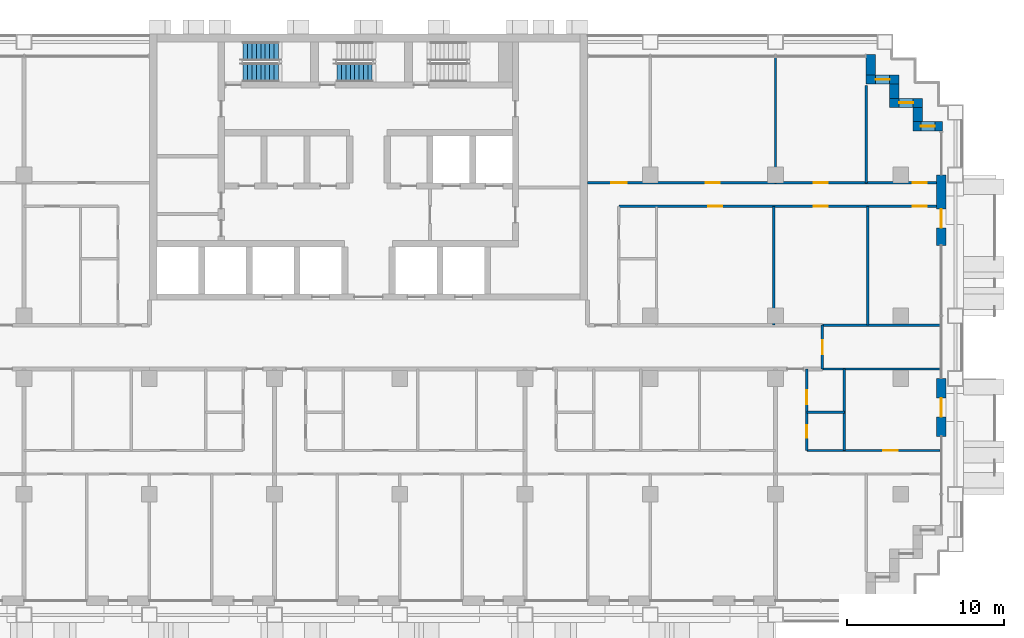
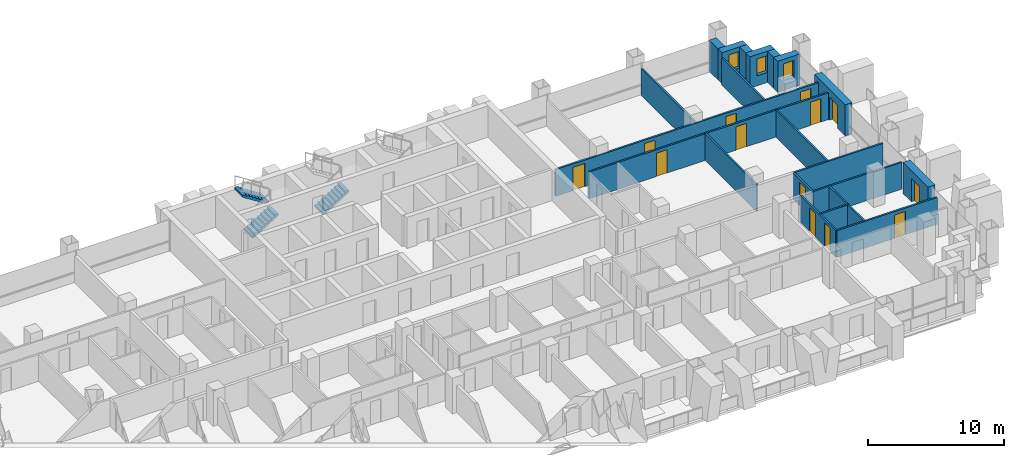
# One storey, part 14 of 19: 21 walls, 13 doors, 3 stair flights, 3 windows, 16 openings, 2 elements without a shape of their own.
"""IFC4 building model written with IfcOpenShell, lengths in metres."""

from ifc_helpers import new_model, si_unit, direction, frame, frame_2d, origin, place, context, subcontext, project, spatial, polyline, rectangle, outline, extrude, material, layer, layer_set, type_object, element, fill, aggregate, save


model = new_model("IFC4")

# Units and contexts
model_context = context("Model", 3, precision=1e-05, world=origin(), true_north=direction((0.0, 1.0)))
body_context = subcontext(model_context, "Body", "Model", "MODEL_VIEW")
ifc_project = project(units=[si_unit("LENGTHUNIT", "METRE"), si_unit("AREAUNIT", "SQUARE_METRE"), si_unit("VOLUMEUNIT", "CUBIC_METRE"), si_unit("PLANEANGLEUNIT", "RADIAN"), si_unit("MASSUNIT", "GRAM", prefix="KILO")], contexts=[model_context])

# Site, building, storey
site_placement = place(None, origin())
site = spatial("IfcSite", under=ifc_project, at=site_placement, CompositionType="ELEMENT")
building_placement = place(site_placement, origin())
building = spatial("IfcBuilding", under=site, at=building_placement, Name="Vidyagriha Tower", CompositionType="ELEMENT")
storey_placement = place(building_placement, frame((0.0, 0.0, 60.800048828125)))
storey = spatial("IfcBuildingStorey", under=building, at=storey_placement, Name="L16", CompositionType="ELEMENT", Elevation=60.800048828125)

# Wall, opening, window
ifc_material_1 = material(Name="Precast concrete C40/50 with brick facing", Category="concrete")
ifc_layer_1 = layer(ifc_material_1, 0.60009765625)
ifc_layer_set_1 = layer_set([ifc_layer_1], Name="Precast concrete C40/50 with brick facing")
wall_type_1 = type_object("IfcWallType", Name="Brick-faced precast wall 600", PredefinedType="STANDARD", material=ifc_layer_set_1)
wall_1_placement = place(storey_placement, frame((36.679931640625, 14.10009765625, 0.0), z_axis=(0.0, 0.0, 1.0), x_axis=(-1.0, 0.0, 0.0)))
wall_1 = element("IfcWall", 1, at=wall_1_placement, inside=storey, type_object=wall_type_1, Name="Stepped corner wall L16 R01", PredefinedType="STANDARD", context=body_context, shape_type="SweptSolid", body=[
    extrude(rectangle(XDim=1.8798828125, YDim=0.60009765625, at=frame_2d((0.93994140625, 0.0))), origin(), (0.0, 0.0, 1.0), 2.800048828125),
])
opening_1_placement = place(wall_1_placement, frame((0.489990234375, 0.0, 0.89990234375)))
opening_1 = element("IfcOpeningElement", 2, at=opening_1_placement, cuts=wall_1, Name="Opening WN1", PredefinedType="OPENING", context=body_context, shape_type="SweptSolid", body=[
    extrude(rectangle(XDim=0.89990234375, YDim=1.5, at=frame_2d((0.449951171875, 0.75))), frame((0.0, 0.31005859375, 0.0), z_axis=(0.0, -1.0, 0.0), x_axis=(1.0, 0.0, 0.0)), (0.0, 0.0, 1.0), 0.6201171875),
])
ifc_material_2 = material(Name="Aluminium and glass window", Category="aluminium")
window_type = type_object("IfcWindowType", Name="Reveal window 900x1500", PartitioningType="NOTDEFINED", PredefinedType="WINDOW", material=ifc_material_2)
window_1_placement = place(opening_1_placement, origin())
window_1 = element("IfcWindow", 3, at=window_1_placement, inside=storey, type_object=window_type, Name="Reveal window L16 R01", OverallHeight=1.5, OverallWidth=0.89990234375, PartitioningType="SINGLE_PANEL", PredefinedType="WINDOW", context=body_context, shape_type="SweptSolid", body=[
    extrude(rectangle(XDim=0.89990234375, YDim=1.5, at=frame_2d((0.449951171875, 0.75))), frame((0.0, 0.030029296875, 0.0), z_axis=(0.0, -1.0, 0.0), x_axis=(1.0, 0.0, 0.0)), (0.0, 0.0, 1.0), 0.06005859375),
])
fill(opening_1, window_1)

# Wall
wall_2_placement = place(storey_placement, frame((35.10009765625, 14.39990234375, 0.0), z_axis=(0.0, 0.0, 1.0), x_axis=(0.0, 1.0, 0.0)))
element("IfcWall", 4, at=wall_2_placement, inside=storey, type_object=wall_type_1, Name="Stepped corner wall L16 R02", PredefinedType="STANDARD", context=body_context, shape_type="SweptSolid", body=[
    extrude(rectangle(XDim=0.900146484375, YDim=0.60009765625, at=frame_2d((0.4501953125, 0.0))), origin(), (0.0, 0.0, 1.0), 2.800048828125),
])

# Wall, opening, window
wall_3_placement = place(storey_placement, frame((35.39990234375, 15.60009765625, 0.0), z_axis=(0.0, 0.0, 1.0), x_axis=(-1.0, 0.0, 0.0)))
wall_3 = element("IfcWall", 5, at=wall_3_placement, inside=storey, type_object=wall_type_1, Name="Stepped corner wall L16 R03", PredefinedType="STANDARD", context=body_context, shape_type="SweptSolid", body=[
    extrude(rectangle(XDim=2.099853515625, YDim=0.60009765625, at=frame_2d((1.0498046875, 0.0))), origin(), (0.0, 0.0, 1.0), 2.800048828125),
])
opening_2_placement = place(wall_3_placement, frame((0.60009765625, 0.0, 0.89990234375)))
opening_2 = element("IfcOpeningElement", 6, at=opening_2_placement, cuts=wall_3, Name="Opening WN1", PredefinedType="OPENING", context=body_context, shape_type="SweptSolid", body=[
    extrude(rectangle(XDim=0.89990234375, YDim=1.5, at=frame_2d((0.449951171875, 0.75))), frame((0.0, 0.31005859375, 0.0), z_axis=(0.0, -1.0, 0.0), x_axis=(1.0, 0.0, 0.0)), (0.0, 0.0, 1.0), 0.6201171875),
])
window_2_placement = place(opening_2_placement, origin())
window_2 = element("IfcWindow", 7, at=window_2_placement, inside=storey, type_object=window_type, Name="Reveal window L16 R03", OverallHeight=1.5, OverallWidth=0.89990234375, PartitioningType="SINGLE_PANEL", PredefinedType="WINDOW", context=body_context, shape_type="SweptSolid", body=[
    extrude(rectangle(XDim=0.89990234375, YDim=1.5, at=frame_2d((0.449951171875, 0.75))), frame((0.0, 0.030029296875, 0.0), z_axis=(0.0, -1.0, 0.0), x_axis=(1.0, 0.0, 0.0)), (0.0, 0.0, 1.0), 0.06005859375),
])
fill(opening_2, window_2)

# Wall
wall_4_placement = place(storey_placement, frame((33.60009765625, 15.89990234375, 0.0), z_axis=(0.0, 0.0, 1.0), x_axis=(0.0, 1.0, 0.0)))
element("IfcWall", 8, at=wall_4_placement, inside=storey, type_object=wall_type_1, Name="Stepped corner wall L16 R04", PredefinedType="STANDARD", context=body_context, shape_type="SweptSolid", body=[
    extrude(rectangle(XDim=0.900146484375, YDim=0.60009765625, at=frame_2d((0.4501953125, 0.0))), origin(), (0.0, 0.0, 1.0), 2.800048828125),
])

# Wall, opening, window
wall_5_placement = place(storey_placement, frame((33.89990234375, 17.10009765625, 0.0), z_axis=(0.0, 0.0, 1.0), x_axis=(-1.0, 0.0, 0.0)))
wall_5 = element("IfcWall", 9, at=wall_5_placement, inside=storey, type_object=wall_type_1, Name="Stepped corner wall L16 R05", PredefinedType="STANDARD", context=body_context, shape_type="SweptSolid", body=[
    extrude(rectangle(XDim=2.099853515625, YDim=0.60009765625, at=frame_2d((1.0498046875, 0.0))), origin(), (0.0, 0.0, 1.0), 2.800048828125),
])
opening_3_placement = place(wall_5_placement, frame((0.60009765625, 0.0, 0.89990234375)))
opening_3 = element("IfcOpeningElement", 10, at=opening_3_placement, cuts=wall_5, Name="Opening WN1", PredefinedType="OPENING", context=body_context, shape_type="SweptSolid", body=[
    extrude(rectangle(XDim=0.89990234375, YDim=1.5, at=frame_2d((0.449951171875, 0.75))), frame((0.0, 0.31005859375, 0.0), z_axis=(0.0, -1.0, 0.0), x_axis=(1.0, 0.0, 0.0)), (0.0, 0.0, 1.0), 0.6201171875),
])
window_3_placement = place(opening_3_placement, origin())
window_3 = element("IfcWindow", 11, at=window_3_placement, inside=storey, type_object=window_type, Name="Reveal window L16 R05", OverallHeight=1.5, OverallWidth=0.89990234375, PartitioningType="SINGLE_PANEL", PredefinedType="WINDOW", context=body_context, shape_type="SweptSolid", body=[
    extrude(rectangle(XDim=0.89990234375, YDim=1.5, at=frame_2d((0.449951171875, 0.75))), frame((0.0, 0.030029296875, 0.0), z_axis=(0.0, -1.0, 0.0), x_axis=(1.0, 0.0, 0.0)), (0.0, 0.0, 1.0), 0.06005859375),
])
fill(opening_3, window_3)

# Wall
wall_6_placement = place(storey_placement, frame((32.10009765625, 17.39990234375, 0.0), z_axis=(0.0, 0.0, 1.0), x_axis=(0.0, 1.0, 0.0)))
element("IfcWall", 12, at=wall_6_placement, inside=storey, type_object=wall_type_1, Name="Stepped corner wall L16 R06", PredefinedType="STANDARD", context=body_context, shape_type="SweptSolid", body=[
    extrude(rectangle(XDim=1.280029296875, YDim=0.60009765625, at=frame_2d((0.64013671875, 0.0))), origin(), (0.0, 0.0, 1.0), 2.800048828125),
])

# Wall, opening, door
wall_7_placement = place(storey_placement, frame((36.60009765625, -5.699951171875, 0.0), z_axis=(0.0, 0.0, 1.0), x_axis=(0.0, 1.0, 0.0)))
wall_7 = element("IfcWall", 13, at=wall_7_placement, inside=storey, type_object=wall_type_1, Name="Brick door bay wall L16 R30.3", PredefinedType="STANDARD", context=body_context, shape_type="SweptSolid", body=[
    extrude(rectangle(XDim=3.699951171875, YDim=0.60009765625, at=frame_2d((1.85009765625, 0.0))), origin(), (0.0, 0.0, 1.0), 2.800048828125),
])
opening_4_placement = place(wall_7_placement, frame((1.25, 0.0, 0.0)))
opening_4 = element("IfcOpeningElement", 14, at=opening_4_placement, cuts=wall_7, Name="Opening D16-90", PredefinedType="OPENING", context=body_context, shape_type="SweptSolid", body=[
    extrude(rectangle(XDim=1.199951171875, YDim=2.10009765625, at=frame_2d((0.60009765625, 1.050048828125))), frame((0.0, 0.31005859375, 0.0), z_axis=(0.0, -1.0, 0.0), x_axis=(1.0, 0.0, 0.0)), (0.0, 0.0, 1.0), 0.6201171875),
])
ifc_material_3 = material(Name="Aluminium framed glazed sliding door", Category="aluminium")
door_type_1 = type_object("IfcDoorType", Name="Balcony sliding door 1200x2100", OperationType="NOTDEFINED", PredefinedType="DOOR", material=ifc_material_3)
door_1_placement = place(opening_4_placement, origin())
door_1 = element("IfcDoor", 15, at=door_1_placement, inside=storey, type_object=door_type_1, Name="Door D16-90", OperationType="SLIDING_TO_LEFT", OverallHeight=2.10009765625, OverallWidth=1.199951171875, PredefinedType="DOOR", context=body_context, shape_type="SweptSolid", body=[
    extrude(rectangle(XDim=1.199951171875, YDim=2.10009765625, at=frame_2d((0.60009765625, 1.050048828125))), frame((0.0, 0.02490234375, 0.0), z_axis=(0.0, -1.0, 0.0), x_axis=(1.0, 0.0, 0.0)), (0.0, 0.0, 1.0), 0.050048828125),
])
fill(opening_4, door_1)

wall_8_placement = place(storey_placement, frame((36.60009765625, 6.5, 0.0), z_axis=(0.0, 0.0, 1.0), x_axis=(0.0, 1.0, 0.0)))
wall_8 = element("IfcWall", 16, at=wall_8_placement, inside=storey, type_object=wall_type_1, Name="Brick door bay wall L16 R30.6", PredefinedType="STANDARD", context=body_context, shape_type="SweptSolid", body=[
    extrude(rectangle(XDim=4.5, YDim=0.60009765625, at=frame_2d((2.25, 0.0))), origin(), (0.0, 0.0, 1.0), 2.800048828125),
])
opening_5_placement = place(wall_8_placement, frame((1.125, 0.0, 0.0)))
opening_5 = element("IfcOpeningElement", 17, at=opening_5_placement, cuts=wall_8, Name="Opening D16-91", PredefinedType="OPENING", context=body_context, shape_type="SweptSolid", body=[
    extrude(rectangle(XDim=1.199951171875, YDim=2.10009765625, at=frame_2d((0.60009765625, 1.050048828125))), frame((0.0, 0.31005859375, 0.0), z_axis=(0.0, -1.0, 0.0), x_axis=(1.0, 0.0, 0.0)), (0.0, 0.0, 1.0), 0.6201171875),
])
door_2_placement = place(opening_5_placement, origin())
door_2 = element("IfcDoor", 18, at=door_2_placement, inside=storey, type_object=door_type_1, Name="Door D16-91", OperationType="SLIDING_TO_LEFT", OverallHeight=2.10009765625, OverallWidth=1.199951171875, PredefinedType="DOOR", context=body_context, shape_type="SweptSolid", body=[
    extrude(rectangle(XDim=1.199951171875, YDim=2.10009765625, at=frame_2d((0.60009765625, 1.050048828125))), frame((0.0, 0.02490234375, 0.0), z_axis=(0.0, -1.0, 0.0), x_axis=(1.0, 0.0, 0.0)), (0.0, 0.0, 1.0), 0.050048828125),
])
fill(opening_5, door_2)

# Walls
ifc_material_4 = material(Name="Gypsum board partition")
ifc_layer_2 = layer(ifc_material_4, 0.14990234375)
ifc_layer_set_2 = layer_set([ifc_layer_2], Name="Gypsum board partition")
wall_type_2 = type_object("IfcWallType", Name="Gypsum board partition 150", PredefinedType="PARTITIONING", material=ifc_layer_set_2)
wall_9_placement = place(storey_placement, frame((30.39990234375, -4.14990234375, 0.0), z_axis=(0.0, 0.0, 1.0), x_axis=(-1.0, 0.0, 0.0)))
element("IfcWall", 19, at=wall_9_placement, inside=storey, type_object=wall_type_2, Name="Wall all-L16-w079", PredefinedType="PARTITIONING", context=body_context, shape_type="SweptSolid", body=[
    extrude(rectangle(XDim=2.39990234375, YDim=0.14990234375, at=frame_2d((1.199951171875, 0.0))), origin(), (0.0, 0.0, 1.0), 2.39990234375),
])
wall_10_placement = place(storey_placement, frame((30.39990234375, -1.39990234375, 0.0), z_axis=(0.0, 0.0, 1.0), x_axis=(0.0, -1.0, 0.0)))
element("IfcWall", 20, at=wall_10_placement, inside=storey, type_object=wall_type_2, Name="Wall all-L16-w080", PredefinedType="PARTITIONING", context=body_context, shape_type="SweptSolid", body=[
    extrude(rectangle(XDim=5.2001953125, YDim=0.14990234375, at=frame_2d((2.60009765625, 0.0))), origin(), (0.0, 0.0, 1.0), 2.39990234375),
])

# Wall, opening, door
wall_11_placement = place(storey_placement, frame((28.0, -6.60009765625, 0.0)))
wall_11 = element("IfcWall", 21, at=wall_11_placement, inside=storey, type_object=wall_type_2, Name="Wall all-L16-w081", PredefinedType="PARTITIONING", context=body_context, shape_type="SweptSolid", body=[
    extrude(rectangle(XDim=8.52001953125, YDim=0.14990234375, at=frame_2d((4.260009765625, 0.0))), origin(), (0.0, 0.0, 1.0), 2.39990234375),
])
opening_6_placement = place(wall_11_placement, frame((4.89990234375, 0.0, 0.0)))
opening_6 = element("IfcOpeningElement", 22, at=opening_6_placement, cuts=wall_11, Name="Opening D16-53", PredefinedType="OPENING", context=body_context, shape_type="SweptSolid", body=[
    extrude(rectangle(XDim=0.89990234375, YDim=2.10009765625, at=frame_2d((0.449951171875, 1.050048828125))), frame((0.0, 0.0849609375, 0.0), z_axis=(0.0, -1.0, 0.0), x_axis=(1.0, 0.0, 0.0)), (0.0, 0.0, 1.0), 0.169921875),
])
ifc_material_5 = material(Name="Timber door leaf", Category="wood")
door_type_2 = type_object("IfcDoorType", Name="Room door 900x2100", OperationType="NOTDEFINED", PredefinedType="DOOR", material=ifc_material_5)
door_3_placement = place(opening_6_placement, origin())
door_3 = element("IfcDoor", 23, at=door_3_placement, inside=storey, type_object=door_type_2, Name="Door D16-53", OperationType="SINGLE_SWING_RIGHT", OverallHeight=2.10009765625, OverallWidth=0.89990234375, PredefinedType="DOOR", context=body_context, shape_type="SweptSolid", body=[
    extrude(rectangle(XDim=0.89990234375, YDim=2.10009765625, at=frame_2d((0.449951171875, 1.050048828125))), frame((0.0, 0.02490234375, 0.0), z_axis=(0.0, -1.0, 0.0), x_axis=(1.0, 0.0, 0.0)), (0.0, 0.0, 1.0), 0.050048828125),
])
fill(opening_6, door_3)

# Walls
wall_12_placement = place(storey_placement, frame((36.52001953125, -1.39990234375, 0.0), z_axis=(0.0, 0.0, 1.0), x_axis=(-1.0, 0.0, 0.0)))
element("IfcWall", 24, at=wall_12_placement, inside=storey, type_object=wall_type_2, Name="Wall all-L16-w092", PredefinedType="PARTITIONING", context=body_context, shape_type="SweptSolid", body=[
    extrude(rectangle(XDim=7.52001953125, YDim=0.14990234375, at=frame_2d((3.760009765625, 0.0))), origin(), (0.0, 0.0, 1.0), 2.39990234375),
])
for number, where, z_axis, x_axis, name in (
    (25, (25.89990234375, 9.0, 0.0), (0.0, 0.0, 1.0), (0.0, -1.0, 0.0), "Wall all-L16-w125"),
    (26, (31.89990234375, 9.0, 0.0), (0.0, 0.0, 1.0), (0.0, -1.0, 0.0), "Wall all-L16-w126"),
):
    element("IfcWall", number, at=place(storey_placement, frame(where, z_axis=z_axis, x_axis=x_axis)), inside=storey, type_object=wall_type_2, Name=name, PredefinedType="PARTITIONING", context=body_context, shape_type="SweptSolid", body=[
        extrude(rectangle(XDim=7.60009765625, YDim=0.14990234375, at=frame_2d((3.800048828125, 0.0))), origin(), (0.0, 0.0, 1.0), 2.39990234375),
    ])

# Wall, openings, doors
wall_13_placement = place(storey_placement, frame((36.510009765625, 9.0, 0.0), z_axis=(0.0, 0.0, 1.0), x_axis=(-1.0, 0.0, 0.0)))
wall_13 = element("IfcWall", 27, at=wall_13_placement, inside=storey, type_object=wall_type_2, Name="Wall all-L16-w127", PredefinedType="PARTITIONING", context=body_context, shape_type="SweptSolid", body=[
    extrude(rectangle(XDim=20.510009765625, YDim=0.14990234375, at=frame_2d((10.2548828125, 0.0))), origin(), (0.0, 0.0, 1.0), 2.39990234375),
])
opening_7_placement = place(wall_13_placement, frame((13.909912109375, 0.0, 0.0)))
opening_7 = element("IfcOpeningElement", 28, at=opening_7_placement, cuts=wall_13, Name="Opening D16-71", PredefinedType="OPENING", context=body_context, shape_type="SweptSolid", body=[
    extrude(rectangle(XDim=0.89990234375, YDim=2.10009765625, at=frame_2d((0.449951171875, 1.050048828125))), frame((0.0, 0.0849609375, 0.0), z_axis=(0.0, -1.0, 0.0), x_axis=(1.0, 0.0, 0.0)), (0.0, 0.0, 1.0), 0.169921875),
])
opening_8_placement = place(wall_13_placement, frame((7.159912109375, 0.0, 0.0)))
opening_8 = element("IfcOpeningElement", 29, at=opening_8_placement, cuts=wall_13, Name="Opening D16-72", PredefinedType="OPENING", context=body_context, shape_type="SweptSolid", body=[
    extrude(rectangle(XDim=0.89990234375, YDim=2.10009765625, at=frame_2d((0.449951171875, 1.050048828125))), frame((0.0, 0.0849609375, 0.0), z_axis=(0.0, -1.0, 0.0), x_axis=(1.0, 0.0, 0.0)), (0.0, 0.0, 1.0), 0.169921875),
])
opening_9_placement = place(wall_13_placement, frame((0.85009765625, 0.0, 0.0)))
opening_9 = element("IfcOpeningElement", 30, at=opening_9_placement, cuts=wall_13, Name="Opening D16-73", PredefinedType="OPENING", context=body_context, shape_type="SweptSolid", body=[
    extrude(rectangle(XDim=0.89990234375, YDim=2.10009765625, at=frame_2d((0.449951171875, 1.050048828125))), frame((0.0, 0.0849609375, 0.0), z_axis=(0.0, -1.0, 0.0), x_axis=(1.0, 0.0, 0.0)), (0.0, 0.0, 1.0), 0.169921875),
])
door_4_placement = place(opening_7_placement, origin())
door_4 = element("IfcDoor", 31, at=door_4_placement, inside=storey, type_object=door_type_2, Name="Door D16-71", OperationType="SINGLE_SWING_RIGHT", OverallHeight=2.10009765625, OverallWidth=0.89990234375, PredefinedType="DOOR", context=body_context, shape_type="SweptSolid", body=[
    extrude(rectangle(XDim=0.89990234375, YDim=2.10009765625, at=frame_2d((0.449951171875, 1.050048828125))), frame((0.0, 0.02490234375, 0.0), z_axis=(0.0, -1.0, 0.0), x_axis=(1.0, 0.0, 0.0)), (0.0, 0.0, 1.0), 0.050048828125),
])
fill(opening_7, door_4)
door_5_placement = place(opening_8_placement, origin())
door_5 = element("IfcDoor", 32, at=door_5_placement, inside=storey, type_object=door_type_2, Name="Door D16-72", OperationType="SINGLE_SWING_RIGHT", OverallHeight=2.10009765625, OverallWidth=0.89990234375, PredefinedType="DOOR", context=body_context, shape_type="SweptSolid", body=[
    extrude(rectangle(XDim=0.89990234375, YDim=2.10009765625, at=frame_2d((0.449951171875, 1.050048828125))), frame((0.0, 0.02490234375, 0.0), z_axis=(0.0, -1.0, 0.0), x_axis=(1.0, 0.0, 0.0)), (0.0, 0.0, 1.0), 0.050048828125),
])
fill(opening_8, door_5)
door_6_placement = place(opening_9_placement, origin())
door_6 = element("IfcDoor", 33, at=door_6_placement, inside=storey, type_object=door_type_2, Name="Door D16-73", OperationType="SINGLE_SWING_LEFT", OverallHeight=2.10009765625, OverallWidth=0.89990234375, PredefinedType="DOOR", context=body_context, shape_type="SweptSolid", body=[
    extrude(rectangle(XDim=0.89990234375, YDim=2.10009765625, at=frame_2d((0.449951171875, 1.050048828125))), frame((0.0, 0.02490234375, 0.0), z_axis=(0.0, -1.0, 0.0), x_axis=(1.0, 0.0, 0.0)), (0.0, 0.0, 1.0), 0.050048828125),
])
fill(opening_9, door_6)

wall_14_placement = place(storey_placement, frame((14.0, 10.5, 0.0)))
wall_14 = element("IfcWall", 34, at=wall_14_placement, inside=storey, type_object=wall_type_2, Name="Wall all-L16-w131", PredefinedType="PARTITIONING", context=body_context, shape_type="SweptSolid", body=[
    extrude(rectangle(XDim=22.510009765625, YDim=0.14990234375, at=frame_2d((11.2548828125, 0.0))), origin(), (0.0, 0.0, 1.0), 2.39990234375),
])
opening_10_placement = place(wall_14_placement, frame((1.5, 0.0, 0.0)))
opening_10 = element("IfcOpeningElement", 35, at=opening_10_placement, cuts=wall_14, Name="Opening D16-74", PredefinedType="OPENING", context=body_context, shape_type="SweptSolid", body=[
    extrude(rectangle(XDim=1.0, YDim=2.10009765625, at=frame_2d((0.5, 1.050048828125))), frame((0.0, 0.0849609375, 0.0), z_axis=(0.0, -1.0, 0.0), x_axis=(1.0, 0.0, 0.0)), (0.0, 0.0, 1.0), 0.169921875),
])
opening_11_placement = place(wall_14_placement, frame((7.550048828125, 0.0, 0.0)))
opening_11 = element("IfcOpeningElement", 36, at=opening_11_placement, cuts=wall_14, Name="Opening D16-75", PredefinedType="OPENING", context=body_context, shape_type="SweptSolid", body=[
    extrude(rectangle(XDim=0.89990234375, YDim=2.10009765625, at=frame_2d((0.449951171875, 1.050048828125))), frame((0.0, 0.0849609375, 0.0), z_axis=(0.0, -1.0, 0.0), x_axis=(1.0, 0.0, 0.0)), (0.0, 0.0, 1.0), 0.169921875),
])
opening_12_placement = place(wall_14_placement, frame((14.449951171875, 0.0, 0.0)))
opening_12 = element("IfcOpeningElement", 37, at=opening_12_placement, cuts=wall_14, Name="Opening D16-76", PredefinedType="OPENING", context=body_context, shape_type="SweptSolid", body=[
    extrude(rectangle(XDim=0.89990234375, YDim=2.10009765625, at=frame_2d((0.449951171875, 1.050048828125))), frame((0.0, 0.0849609375, 0.0), z_axis=(0.0, -1.0, 0.0), x_axis=(1.0, 0.0, 0.0)), (0.0, 0.0, 1.0), 0.169921875),
])
opening_13_placement = place(wall_14_placement, frame((20.760009765625, 0.0, 0.0)))
opening_13 = element("IfcOpeningElement", 38, at=opening_13_placement, cuts=wall_14, Name="Opening D16-77", PredefinedType="OPENING", context=body_context, shape_type="SweptSolid", body=[
    extrude(rectangle(XDim=0.89990234375, YDim=2.10009765625, at=frame_2d((0.449951171875, 1.050048828125))), frame((0.0, 0.0849609375, 0.0), z_axis=(0.0, -1.0, 0.0), x_axis=(1.0, 0.0, 0.0)), (0.0, 0.0, 1.0), 0.169921875),
])
ifc_material_6 = material(Name="Timber door leaf", Category="wood")
door_type_3 = type_object("IfcDoorType", Name="Room door 1000x2100", OperationType="NOTDEFINED", PredefinedType="DOOR", material=ifc_material_6)
door_7_placement = place(opening_10_placement, origin())
door_7 = element("IfcDoor", 39, at=door_7_placement, inside=storey, type_object=door_type_3, Name="Door D16-74", OperationType="SINGLE_SWING_RIGHT", OverallHeight=2.10009765625, OverallWidth=1.0, PredefinedType="DOOR", context=body_context, shape_type="SweptSolid", body=[
    extrude(rectangle(XDim=1.0, YDim=2.10009765625, at=frame_2d((0.5, 1.050048828125))), frame((0.0, 0.02490234375, 0.0), z_axis=(0.0, -1.0, 0.0), x_axis=(1.0, 0.0, 0.0)), (0.0, 0.0, 1.0), 0.050048828125),
])
fill(opening_10, door_7)
door_8_placement = place(opening_11_placement, origin())
door_8 = element("IfcDoor", 40, at=door_8_placement, inside=storey, type_object=door_type_2, Name="Door D16-75", OperationType="SINGLE_SWING_RIGHT", OverallHeight=2.10009765625, OverallWidth=0.89990234375, PredefinedType="DOOR", context=body_context, shape_type="SweptSolid", body=[
    extrude(rectangle(XDim=0.89990234375, YDim=2.10009765625, at=frame_2d((0.449951171875, 1.050048828125))), frame((0.0, 0.02490234375, 0.0), z_axis=(0.0, -1.0, 0.0), x_axis=(1.0, 0.0, 0.0)), (0.0, 0.0, 1.0), 0.050048828125),
])
fill(opening_11, door_8)
door_9_placement = place(opening_12_placement, origin())
door_9 = element("IfcDoor", 41, at=door_9_placement, inside=storey, type_object=door_type_2, Name="Door D16-76", OperationType="SINGLE_SWING_LEFT", OverallHeight=2.10009765625, OverallWidth=0.89990234375, PredefinedType="DOOR", context=body_context, shape_type="SweptSolid", body=[
    extrude(rectangle(XDim=0.89990234375, YDim=2.10009765625, at=frame_2d((0.449951171875, 1.050048828125))), frame((0.0, 0.02490234375, 0.0), z_axis=(0.0, -1.0, 0.0), x_axis=(1.0, 0.0, 0.0)), (0.0, 0.0, 1.0), 0.050048828125),
])
fill(opening_12, door_9)
door_10_placement = place(opening_13_placement, origin())
door_10 = element("IfcDoor", 42, at=door_10_placement, inside=storey, type_object=door_type_2, Name="Door D16-77", OperationType="SINGLE_SWING_RIGHT", OverallHeight=2.10009765625, OverallWidth=0.89990234375, PredefinedType="DOOR", context=body_context, shape_type="SweptSolid", body=[
    extrude(rectangle(XDim=0.89990234375, YDim=2.10009765625, at=frame_2d((0.449951171875, 1.050048828125))), frame((0.0, 0.02490234375, 0.0), z_axis=(0.0, -1.0, 0.0), x_axis=(1.0, 0.0, 0.0)), (0.0, 0.0, 1.0), 0.050048828125),
])
fill(opening_13, door_10)

# Walls
wall_15_placement = place(storey_placement, frame((26.0, 18.52099609375, 0.0), z_axis=(0.0, 0.0, 1.0), x_axis=(0.0, -1.0, 0.0)))
element("IfcWall", 43, at=wall_15_placement, inside=storey, type_object=wall_type_2, Name="Wall all-L16-w137", PredefinedType="PARTITIONING", context=body_context, shape_type="SweptSolid", body=[
    extrude(rectangle(XDim=8.02099609375, YDim=0.14990234375, at=frame_2d((4.010498046875, 0.0))), origin(), (0.0, 0.0, 1.0), 2.39990234375),
])
wall_16_placement = place(storey_placement, frame((31.800048828125, 16.719970703125, 0.0), z_axis=(0.0, 0.0, 1.0), x_axis=(0.0, -1.0, 0.0)))
element("IfcWall", 44, at=wall_16_placement, inside=storey, type_object=wall_type_2, Name="Wall all-L16-w138", PredefinedType="PARTITIONING", context=body_context, shape_type="SweptSolid", body=[
    extrude(rectangle(XDim=6.219970703125, YDim=0.14990234375, at=frame_2d((3.10986328125, 0.0))), origin(), (0.0, 0.0, 1.0), 2.39990234375),
])
wall_17_placement = place(storey_placement, frame((29.0, 1.39990234375, 0.0)))
element("IfcWall", 45, at=wall_17_placement, inside=storey, type_object=wall_type_2, Name="Wall all-L16-w141", PredefinedType="PARTITIONING", context=body_context, shape_type="SweptSolid", body=[
    extrude(rectangle(XDim=7.52001953125, YDim=0.14990234375, at=frame_2d((3.760009765625, 0.0))), origin(), (0.0, 0.0, 1.0), 2.39990234375),
])

# Wall, opening, door
wall_18_placement = place(storey_placement, frame((29.0, -1.39990234375, 0.0), z_axis=(0.0, 0.0, 1.0), x_axis=(0.0, 1.0, 0.0)))
wall_18 = element("IfcWall", 46, at=wall_18_placement, inside=storey, type_object=wall_type_2, Name="Wall all-L16-w144", PredefinedType="PARTITIONING", context=body_context, shape_type="SweptSolid", body=[
    extrude(rectangle(XDim=2.7998046875, YDim=0.14990234375, at=frame_2d((1.39990234375, 0.0))), origin(), (0.0, 0.0, 1.0), 2.39990234375),
])
opening_14_placement = place(wall_18_placement, frame((0.949951171875, 0.0, 0.0)))
opening_14 = element("IfcOpeningElement", 47, at=opening_14_placement, cuts=wall_18, Name="Opening D16-80", PredefinedType="OPENING", context=body_context, shape_type="SweptSolid", body=[
    extrude(rectangle(XDim=0.89990234375, YDim=2.10009765625, at=frame_2d((0.449951171875, 1.050048828125))), frame((0.0, 0.0849609375, 0.0), z_axis=(0.0, -1.0, 0.0), x_axis=(1.0, 0.0, 0.0)), (0.0, 0.0, 1.0), 0.169921875),
])
door_11_placement = place(opening_14_placement, origin())
door_11 = element("IfcDoor", 48, at=door_11_placement, inside=storey, type_object=door_type_2, Name="Door D16-80", OperationType="SINGLE_SWING_RIGHT", OverallHeight=2.10009765625, OverallWidth=0.89990234375, PredefinedType="DOOR", context=body_context, shape_type="SweptSolid", body=[
    extrude(rectangle(XDim=0.89990234375, YDim=2.10009765625, at=frame_2d((0.449951171875, 1.050048828125))), frame((0.0, 0.02490234375, 0.0), z_axis=(0.0, -1.0, 0.0), x_axis=(1.0, 0.0, 0.0)), (0.0, 0.0, 1.0), 0.050048828125),
])
fill(opening_14, door_11)

# Wall, openings, doors
ifc_material_7 = material(Name="Moisture resistant gypsum board partition")
ifc_layer_3 = layer(ifc_material_7, 0.14990234375)
ifc_layer_set_3 = layer_set([ifc_layer_3], Name="Moisture resistant gypsum board partition")
wall_type_3 = type_object("IfcWallType", Name="Gypsum board wet-area partition 150", PredefinedType="PARTITIONING", material=ifc_layer_set_3)
wall_19_placement = place(storey_placement, frame((28.0, -1.39990234375, 0.0), z_axis=(0.0, 0.0, 1.0), x_axis=(0.0, -1.0, 0.0)))
wall_19 = element("IfcWall", 49, at=wall_19_placement, inside=storey, type_object=wall_type_3, Name="Wall all-L16-w076", PredefinedType="PARTITIONING", context=body_context, shape_type="SweptSolid", body=[
    extrude(rectangle(XDim=5.2001953125, YDim=0.14990234375, at=frame_2d((2.60009765625, 0.0))), origin(), (0.0, 0.0, 1.0), 2.39990234375),
])
opening_15_placement = place(wall_19_placement, frame((1.360107421875, 0.0, 0.0)))
opening_15 = element("IfcOpeningElement", 50, at=opening_15_placement, cuts=wall_19, Name="Opening D16-51", PredefinedType="OPENING", context=body_context, shape_type="SweptSolid", body=[
    extrude(rectangle(XDim=0.89990234375, YDim=2.10009765625, at=frame_2d((0.449951171875, 1.050048828125))), frame((0.0, 0.0849609375, 0.0), z_axis=(0.0, -1.0, 0.0), x_axis=(1.0, 0.0, 0.0)), (0.0, 0.0, 1.0), 0.169921875),
])
opening_16_placement = place(wall_19_placement, frame((3.574951171875, 0.0, 0.0)))
opening_16 = element("IfcOpeningElement", 51, at=opening_16_placement, cuts=wall_19, Name="Opening D16-52", PredefinedType="OPENING", context=body_context, shape_type="SweptSolid", body=[
    extrude(rectangle(XDim=0.800048828125, YDim=2.10009765625, at=frame_2d((0.39990234375, 1.050048828125))), frame((0.0, 0.0849609375, 0.0), z_axis=(0.0, -1.0, 0.0), x_axis=(1.0, 0.0, 0.0)), (0.0, 0.0, 1.0), 0.169921875),
])
ifc_material_8 = material(Name="Timber door leaf", Category="wood")
door_type_4 = type_object("IfcDoorType", Name="Bathroom door 800x2100", OperationType="NOTDEFINED", PredefinedType="DOOR", material=ifc_material_8)
door_12_placement = place(opening_16_placement, origin())
door_12 = element("IfcDoor", 52, at=door_12_placement, inside=storey, type_object=door_type_4, Name="Door D16-52", OperationType="SINGLE_SWING_RIGHT", OverallHeight=2.10009765625, OverallWidth=0.800048828125, PredefinedType="DOOR", context=body_context, shape_type="SweptSolid", body=[
    extrude(rectangle(XDim=0.800048828125, YDim=2.10009765625, at=frame_2d((0.39990234375, 1.050048828125))), frame((0.0, 0.02490234375, 0.0), z_axis=(0.0, -1.0, 0.0), x_axis=(1.0, 0.0, 0.0)), (0.0, 0.0, 1.0), 0.050048828125),
])
fill(opening_16, door_12)
ifc_material_9 = material(Name="Timber door leaf", Category="wood")
door_type_5 = type_object("IfcDoorType", Name="Kitchen door 900x2100", OperationType="NOTDEFINED", PredefinedType="DOOR", material=ifc_material_9)
door_13_placement = place(opening_15_placement, origin())
door_13 = element("IfcDoor", 53, at=door_13_placement, inside=storey, type_object=door_type_5, Name="Door D16-51", OperationType="SINGLE_SWING_RIGHT", OverallHeight=2.10009765625, OverallWidth=0.89990234375, PredefinedType="DOOR", context=body_context, shape_type="SweptSolid", body=[
    extrude(rectangle(XDim=0.89990234375, YDim=2.10009765625, at=frame_2d((0.449951171875, 1.050048828125))), frame((0.0, 0.02490234375, 0.0), z_axis=(0.0, -1.0, 0.0), x_axis=(1.0, 0.0, 0.0)), (0.0, 0.0, 1.0), 0.050048828125),
])
fill(opening_15, door_13)

# Stair, stair flights
ifc_material_10 = material(Name="Concrete C40/50", Category="concrete")
stair_type = type_object("IfcStairType", Name="Exit stair, half-turn, precast flights", PredefinedType="HALF_TURN_STAIR", material=ifc_material_10)
stair_1_placement = place(storey_placement, origin())
stair_1 = element("IfcStair", 54, at=stair_1_placement, inside=storey, type_object=stair_type, Name="L16 Exit Stair ST1", PredefinedType="HALF_TURN_STAIR")
ifc_material_11 = material(Name="Precast concrete C40/50", Category="concrete")
stair_flight_type = type_object("IfcStairFlightType", Name="Exit stair flight 1200 mm, precast", PredefinedType="STRAIGHT", material=ifc_material_11)
stair_flight_1_placement = place(storey_placement, frame((-8.0, 17.550048828125, 0.0)))
stair_flight_1 = element("IfcStairFlight", 55, at=stair_flight_1_placement, type_object=stair_flight_type, Name="ST1 flight 1", NumberOfRisers=9, NumberOfTreads=8, PredefinedType="STRAIGHT", RiserHeight=0.177777778, TreadLength=0.28, context=body_context, shape_type="SweptSolid", body=[
    extrude(outline(polyline([(0.0, 0.0), (0.0, 0.177734375), (0.280029296875, 0.177734375), (0.280029296875, 0.35546875), (0.56005859375, 0.35546875), (0.56005859375, 0.533447265625), (0.840087890625, 0.533447265625), (0.840087890625, 0.711181640625), (1.1201171875, 0.711181640625), (1.1201171875, 0.888916015625), (1.39990234375, 0.888916015625), (1.39990234375, 1.066650390625), (1.679931640625, 1.066650390625), (1.679931640625, 1.244384765625), (1.9599609375, 1.244384765625), (1.9599609375, 1.422119140625), (2.239990234375, 1.422119140625), (2.239990234375, 1.60009765625), (2.239990234375, 1.24462890625), (0.27978515625, 0.0), (0.0, 0.0)])), frame((0.0, 0.60009765625, 0.0), z_axis=(0.0, -1.0, 0.0), x_axis=(1.0, 0.0, 0.0)), (0.0, 0.0, 1.0), 1.199951171875),
])
stair_flight_2_placement = place(storey_placement, frame((-5.760009765625, 18.89990234375, 1.599853515625), z_axis=(0.0, 0.0, 1.0), x_axis=(-1.0, 0.0, 0.0)))
stair_flight_2 = element("IfcStairFlight", 56, at=stair_flight_2_placement, type_object=stair_flight_type, Name="ST1 flight 2", NumberOfRisers=9, NumberOfTreads=8, PredefinedType="STRAIGHT", RiserHeight=0.177777778, TreadLength=0.28, context=body_context, shape_type="SweptSolid", body=[
    extrude(outline(polyline([(0.0, 0.0), (0.0, 0.177734375), (0.280029296875, 0.177734375), (0.280029296875, 0.35546875), (0.56005859375, 0.35546875), (0.56005859375, 0.533447265625), (0.840087890625, 0.533447265625), (0.840087890625, 0.711181640625), (1.1201171875, 0.711181640625), (1.1201171875, 0.888916015625), (1.39990234375, 0.888916015625), (1.39990234375, 1.066650390625), (1.679931640625, 1.066650390625), (1.679931640625, 1.244384765625), (1.9599609375, 1.244384765625), (1.9599609375, 1.422119140625), (2.239990234375, 1.422119140625), (2.239990234375, 1.60009765625), (2.239990234375, 1.24462890625), (0.27978515625, 0.0), (0.0, 0.0)])), frame((0.0, 0.60009765625, 0.0), z_axis=(0.0, -1.0, 0.0), x_axis=(1.0, 0.0, 0.0)), (0.0, 0.0, 1.0), 1.199951171875),
])
aggregate(stair_1, [stair_flight_1, stair_flight_2])

# Stair, stair flight
stair_2_placement = place(storey_placement, origin())
stair_2 = element("IfcStair", 57, at=stair_2_placement, inside=storey, type_object=stair_type, Name="L16 Exit Stair ST2", PredefinedType="HALF_TURN_STAIR")
stair_flight_3_placement = place(storey_placement, frame((-2.0, 17.550048828125, 0.0)))
stair_flight_3 = element("IfcStairFlight", 58, at=stair_flight_3_placement, type_object=stair_flight_type, Name="ST2 flight 1", NumberOfRisers=9, NumberOfTreads=8, PredefinedType="STRAIGHT", RiserHeight=0.177777778, TreadLength=0.28, context=body_context, shape_type="SweptSolid", body=[
    extrude(outline(polyline([(0.0, 0.0), (0.0, 0.177734375), (0.280029296875, 0.177734375), (0.280029296875, 0.35546875), (0.56005859375, 0.35546875), (0.56005859375, 0.533447265625), (0.840087890625, 0.533447265625), (0.840087890625, 0.711181640625), (1.1201171875, 0.711181640625), (1.1201171875, 0.888916015625), (1.39990234375, 0.888916015625), (1.39990234375, 1.066650390625), (1.679931640625, 1.066650390625), (1.679931640625, 1.244384765625), (1.9599609375, 1.244384765625), (1.9599609375, 1.422119140625), (2.239990234375, 1.422119140625), (2.239990234375, 1.60009765625), (2.239990234375, 1.24462890625), (0.27978515625, 0.0), (0.0, 0.0)])), frame((0.0, 0.60009765625, 0.0), z_axis=(0.0, -1.0, 0.0), x_axis=(1.0, 0.0, 0.0)), (0.0, 0.0, 1.0), 1.199951171875),
])
aggregate(stair_2, [stair_flight_3])

save(model, "model.ifc")
